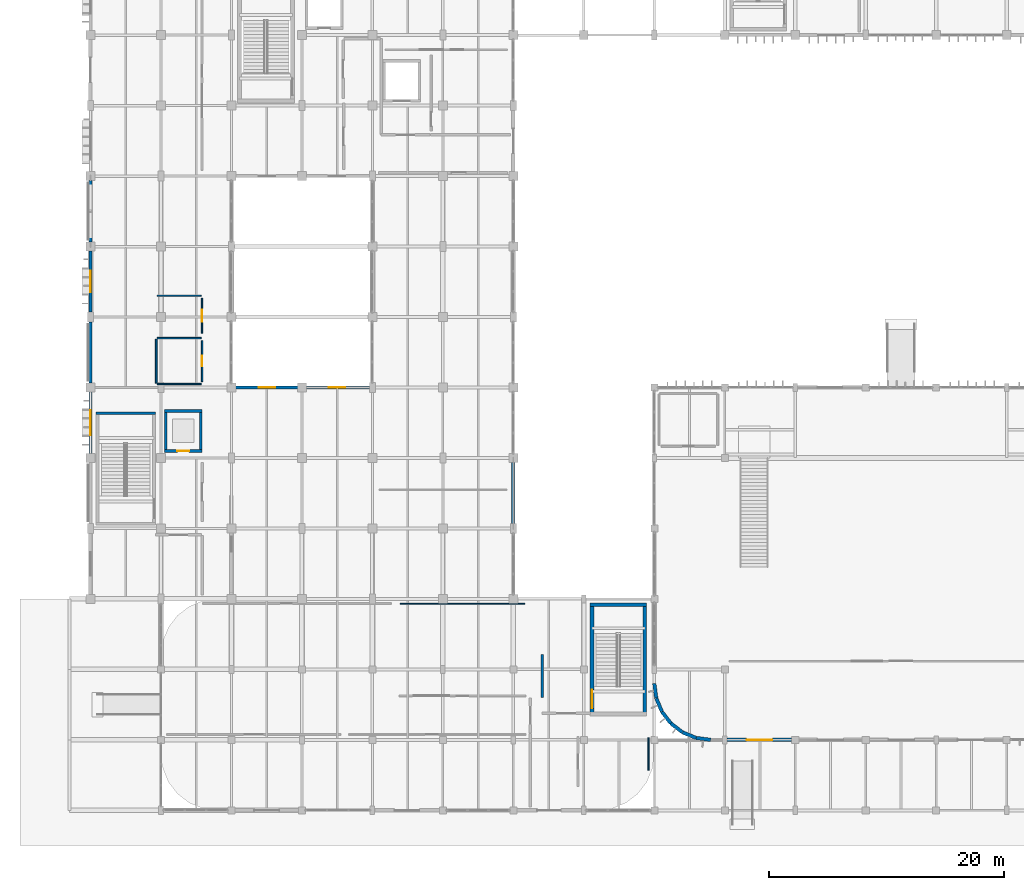
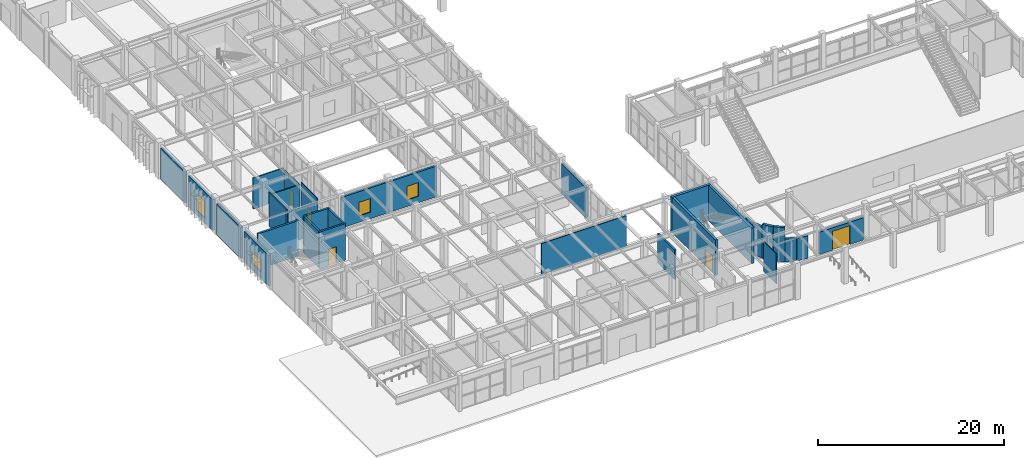
# One storey, part 41 of 76: 31 walls, 5 doors, 4 windows, 9 openings.
"""IFC4 building model written with IfcOpenShell, lengths in metres."""

from ifc_helpers import new_model, si_unit, direction, frame, frame_2d, origin, place, context, subcontext, project, spatial, rectangle, extrude, material, layer, layer_set, type_object, element, fill, save


model = new_model("IFC4")

# Units and contexts
model_context = context("Model", 3, precision=1e-05, world=origin(), true_north=direction((0.0, 1.0)))
body_context = subcontext(model_context, "Body", "Model", "MODEL_VIEW")
ifc_project = project(units=[si_unit("LENGTHUNIT", "METRE"), si_unit("AREAUNIT", "SQUARE_METRE"), si_unit("VOLUMEUNIT", "CUBIC_METRE"), si_unit("PLANEANGLEUNIT", "RADIAN"), si_unit("MASSUNIT", "GRAM", prefix="KILO")], contexts=[model_context])

# Site, building, storey
site_placement = place(None, origin())
site = spatial("IfcSite", under=ifc_project, at=site_placement, CompositionType="ELEMENT")
building_placement = place(site_placement, origin())
building = spatial("IfcBuilding", under=site, at=building_placement, Name="Varnakota Square Police Headquarters", CompositionType="ELEMENT")
storey_placement = place(building_placement, origin())
storey = spatial("IfcBuildingStorey", under=building, at=storey_placement, Name="L00", CompositionType="ELEMENT", Elevation=0.0)

# Wall
ifc_material_1 = material(Name="Concrete M40", Category="concrete")
ifc_layer_1 = layer(ifc_material_1, 0.22998046875, Name="Concrete M40")
ifc_layer_set_1 = layer_set([ifc_layer_1], Name="Concrete M40")
wall_type_1 = type_object("IfcWallType", Name="WL-CORE-230", PredefinedType="SHEAR", material=ifc_layer_set_1)
wall_1_placement = place(storey_placement, frame((11.514892578125, 36.800048828125, 0.0), z_axis=(0.0, 0.0, 1.0), x_axis=(-1.0, 0.0, 0.0)))
element("IfcWall", 1, at=wall_1_placement, inside=storey, type_object=wall_type_1, Name="Core C4 shear wall L00 N", PredefinedType="SHEAR", context=body_context, shape_type="SweptSolid", body=[
    extrude(rectangle(XDim=5.02978515625, YDim=0.22998046875, at=frame_2d((2.514892578125, 0.0))), origin(), (0.0, 0.0, 1.0), 4.659912109375),
])

# Wall, opening, door
wall_2_placement = place(storey_placement, frame((12.284912109375, 33.60009765625, 0.0), z_axis=(0.0, 0.0, 1.0), x_axis=(1.0, 0.0, 0.0)))
wall_2 = element("IfcWall", 2, at=wall_2_placement, inside=storey, type_object=wall_type_1, Name="Lift shaft wall LF-P2 L00 S", PredefinedType="SHEAR", context=body_context, shape_type="SweptSolid", body=[
    extrude(rectangle(XDim=3.22998046875, YDim=0.22998046875, at=frame_2d((1.614990234375, 0.0))), origin(), (0.0, 0.0, 1.0), 4.800048828125),
])
opening_1_placement = place(wall_2_placement, frame((1.114990234375, 0.0, 0.0)))
opening_1 = element("IfcOpeningElement", 3, at=opening_1_placement, cuts=wall_2, Name="Opening LD025", PredefinedType="OPENING", context=body_context, shape_type="SweptSolid", body=[
    extrude(rectangle(XDim=1.0, YDim=2.14990234375, at=frame_2d((0.5, 1.074951171875))), frame((0.0, 0.125, 0.0), z_axis=(0.0, -1.0, 0.0), x_axis=(1.0, 0.0, 0.0)), (0.0, 0.0, 1.0), 0.25),
])
ifc_material_2 = material(Name="Brushed Grade 316 Stainless Steel", Category="steel")
door_type_1 = type_object("IfcDoorType", Name="DR-LD-PAX", OperationType="NOTDEFINED", PredefinedType="DOOR", material=ifc_material_2)
door_1_placement = place(opening_1_placement, origin())
door_1 = element("IfcDoor", 4, at=door_1_placement, inside=storey, type_object=door_type_1, Name="Lift sliding landing door LD025", OperationType="SLIDING_TO_LEFT", OverallHeight=2.14990234375, OverallWidth=1.0, PredefinedType="DOOR", context=body_context, shape_type="SweptSolid", body=[
    extrude(rectangle(XDim=1.0, YDim=2.14990234375, at=frame_2d((0.5, 1.074951171875))), frame((0.0, 0.02490234375, 0.0), z_axis=(0.0, -1.0, 0.0), x_axis=(1.0, 0.0, 0.0)), (0.0, 0.0, 1.0), 0.050048828125),
])
fill(opening_1, door_1)

# Walls
wall_3_placement = place(storey_placement, frame((15.39990234375, 33.485107421875, 0.0), z_axis=(0.0, 0.0, 1.0), x_axis=(0.0, 1.0, 0.0)))
element("IfcWall", 5, at=wall_3_placement, inside=storey, type_object=wall_type_1, Name="Lift shaft wall LF-P2 L00 E", PredefinedType="SHEAR", context=body_context, shape_type="SweptSolid", body=[
    extrude(rectangle(XDim=3.6298828125, YDim=0.22998046875, at=frame_2d((1.81494140625, 0.0))), origin(), (0.0, 0.0, 1.0), 4.800048828125),
])
wall_4_placement = place(storey_placement, frame((15.514892578125, 37.0, 0.0), z_axis=(0.0, 0.0, 1.0), x_axis=(-1.0, 0.0, 0.0)))
element("IfcWall", 6, at=wall_4_placement, inside=storey, type_object=wall_type_1, Name="Lift shaft wall LF-P2 L00 N", PredefinedType="SHEAR", context=body_context, shape_type="SweptSolid", body=[
    extrude(rectangle(XDim=3.22998046875, YDim=0.22998046875, at=frame_2d((1.614990234375, 0.0))), origin(), (0.0, 0.0, 1.0), 4.800048828125),
])
wall_5_placement = place(storey_placement, frame((12.39990234375, 37.114990234375, 0.0), z_axis=(0.0, 0.0, 1.0), x_axis=(0.0, -1.0, 0.0)))
element("IfcWall", 7, at=wall_5_placement, inside=storey, type_object=wall_type_1, Name="Lift shaft wall LF-P2 L00 W", PredefinedType="SHEAR", context=body_context, shape_type="SweptSolid", body=[
    extrude(rectangle(XDim=3.6298828125, YDim=0.22998046875, at=frame_2d((1.81494140625, 0.0))), origin(), (0.0, 0.0, 1.0), 4.800048828125),
])
ifc_material_3 = material(Name="Concrete M50", Category="concrete")
ifc_layer_2 = layer(ifc_material_3, 0.31005859375, Name="Concrete M50")
ifc_layer_set_2 = layer_set([ifc_layer_2], Name="Concrete M50")
wall_type_2 = type_object("IfcWallType", Name="WL-CORE-310", PredefinedType="SHEAR", material=ifc_layer_set_2)
wall_6_placement = place(storey_placement, frame((53.199951171875, 11.044921875, 0.0), z_axis=(0.0, 0.0, 1.0), x_axis=(0.0, 1.0, 0.0)))
element("IfcWall", 8, at=wall_6_placement, inside=storey, type_object=wall_type_2, Name="Core C10 shear wall L00 E", PredefinedType="SHEAR", context=body_context, shape_type="SweptSolid", body=[
    extrude(rectangle(XDim=9.610107421875, YDim=0.31005859375, at=frame_2d((4.80517578125, 0.0))), origin(), (0.0, 0.0, 1.0), 4.659912109375),
])
wall_7_placement = place(storey_placement, frame((53.35498046875, 20.5, 0.0), z_axis=(0.0, 0.0, 1.0), x_axis=(-1.0, 0.0, 0.0)))
element("IfcWall", 9, at=wall_7_placement, inside=storey, type_object=wall_type_2, Name="Core C10 shear wall L00 N", PredefinedType="SHEAR", context=body_context, shape_type="SweptSolid", body=[
    extrude(rectangle(XDim=4.81005859375, YDim=0.31005859375, at=frame_2d((2.405029296875, 0.0))), origin(), (0.0, 0.0, 1.0), 4.659912109375),
])

# Wall, opening, door
wall_8_placement = place(storey_placement, frame((48.699951171875, 20.655029296875, 0.0), z_axis=(0.0, 0.0, 1.0), x_axis=(0.0, -1.0, 0.0)))
wall_8 = element("IfcWall", 10, at=wall_8_placement, inside=storey, type_object=wall_type_2, Name="Core C10 shear wall L00 W", PredefinedType="SHEAR", context=body_context, shape_type="SweptSolid", body=[
    extrude(rectangle(XDim=9.610107421875, YDim=0.31005859375, at=frame_2d((4.80517578125, 0.0))), origin(), (0.0, 0.0, 1.0), 4.659912109375),
])
opening_2_placement = place(wall_8_placement, frame((7.375, 0.0, 0.0)))
opening_2 = element("IfcOpeningElement", 11, at=opening_2_placement, cuts=wall_8, Name="Opening SD131", PredefinedType="OPENING", context=body_context, shape_type="SweptSolid", body=[
    extrude(rectangle(XDim=1.60009765625, YDim=2.199951171875, at=frame_2d((0.800048828125, 1.10009765625))), frame((0.0, 0.1650390625, 0.0), z_axis=(0.0, -1.0, 0.0), x_axis=(1.0, 0.0, 0.0)), (0.0, 0.0, 1.0), 0.330078125),
])
ifc_material_4 = material(Name="Powder-Coated Galvanised Steel", Category="steel")
door_type_2 = type_object("IfcDoorType", Name="DR-ST-160", OperationType="NOTDEFINED", PredefinedType="DOOR", material=ifc_material_4)
door_2_placement = place(opening_2_placement, origin())
door_2 = element("IfcDoor", 12, at=door_2_placement, inside=storey, type_object=door_type_2, Name="Protected stair door SD131", OperationType="DOUBLE_DOOR_SINGLE_SWING", OverallHeight=2.199951171875, OverallWidth=1.60009765625, PredefinedType="DOOR", context=body_context, shape_type="SweptSolid", body=[
    extrude(rectangle(XDim=1.60009765625, YDim=2.199951171875, at=frame_2d((0.800048828125, 1.10009765625))), frame((0.0, 0.02490234375, 0.0), z_axis=(0.0, -1.0, 0.0), x_axis=(1.0, 0.0, 0.0)), (0.0, 0.0, 1.0), 0.050048828125),
])
fill(opening_2, door_2)

# Wall, opening, window
ifc_layer_3 = layer(ifc_material_1, 0.239990234375, Name="Concrete M40")
ifc_layer_set_3 = layer_set([ifc_layer_3], Name="Concrete M40")
wall_type_3 = type_object("IfcWallType", Name="WL-EXT-240", PredefinedType="SOLIDWALL", material=ifc_layer_set_3)
wall_9_placement = place(storey_placement, frame((18.050048828125, 39.0, 0.0), z_axis=(0.0, 0.0, 1.0), x_axis=(1.0, 0.0, 0.0)))
wall_9 = element("IfcWall", 13, at=wall_9_placement, inside=storey, type_object=wall_type_3, Name="Court exterior wall EW-L00-0394", PredefinedType="SOLIDWALL", context=body_context, shape_type="SweptSolid", body=[
    extrude(rectangle(XDim=5.949951171875, YDim=0.239990234375, at=frame_2d((2.97509765625, 0.0))), origin(), (0.0, 0.0, 1.0), 4.0400390625),
])
opening_3_placement = place(wall_9_placement, frame((2.27490234375, 0.0, 0.85009765625)))
opening_3 = element("IfcOpeningElement", 14, at=opening_3_placement, cuts=wall_9, Name="Opening W16", PredefinedType="OPENING", context=body_context, shape_type="SweptSolid", body=[
    extrude(rectangle(XDim=1.39990234375, YDim=1.800048828125, at=frame_2d((0.699951171875, 0.89990234375))), frame((0.0, 0.1298828125, 0.0), z_axis=(0.0, -1.0, 0.0), x_axis=(1.0, 0.0, 0.0)), (0.0, 0.0, 1.0), 0.260009765625),
])
ifc_material_5 = material(Name="Thermally Broken Aluminium Double-Glazed Window", Category="aluminium")
window_type_1 = type_object("IfcWindowType", Name="WIN-16", PartitioningType="SINGLE_PANEL", PredefinedType="WINDOW", material=ifc_material_5)
window_1_placement = place(opening_3_placement, origin())
window_1 = element("IfcWindow", 15, at=window_1_placement, inside=storey, type_object=window_type_1, Name="Window WN-L00-0069", OverallHeight=1.800048828125, OverallWidth=1.39990234375, PartitioningType="SINGLE_PANEL", PredefinedType="WINDOW", context=body_context, shape_type="SweptSolid", body=[
    extrude(rectangle(XDim=1.39990234375, YDim=1.800048828125, at=frame_2d((0.699951171875, 0.89990234375))), frame((0.0, 0.030029296875, 0.0), z_axis=(0.0, -1.0, 0.0), x_axis=(1.0, 0.0, 0.0)), (0.0, 0.0, 1.0), 0.06005859375),
])
fill(opening_3, window_1)

wall_10_placement = place(storey_placement, frame((24.0, 39.0, 0.0), z_axis=(0.0, 0.0, 1.0), x_axis=(1.0, 0.0, 0.0)))
wall_10 = element("IfcWall", 16, at=wall_10_placement, inside=storey, type_object=wall_type_3, Name="Court exterior wall EW-L00-0396", PredefinedType="SOLIDWALL", context=body_context, shape_type="SweptSolid", body=[
    extrude(rectangle(XDim=5.949951171875, YDim=0.239990234375, at=frame_2d((2.97509765625, 0.0))), origin(), (0.0, 0.0, 1.0), 4.0400390625),
])
opening_4_placement = place(wall_10_placement, frame((2.27490234375, 0.0, 0.85009765625)))
opening_4 = element("IfcOpeningElement", 17, at=opening_4_placement, cuts=wall_10, Name="Opening W16", PredefinedType="OPENING", context=body_context, shape_type="SweptSolid", body=[
    extrude(rectangle(XDim=1.39990234375, YDim=1.800048828125, at=frame_2d((0.699951171875, 0.89990234375))), frame((0.0, 0.1298828125, 0.0), z_axis=(0.0, -1.0, 0.0), x_axis=(1.0, 0.0, 0.0)), (0.0, 0.0, 1.0), 0.260009765625),
])
window_2_placement = place(opening_4_placement, origin())
window_2 = element("IfcWindow", 18, at=window_2_placement, inside=storey, type_object=window_type_1, Name="Window WN-L00-0071", OverallHeight=1.800048828125, OverallWidth=1.39990234375, PartitioningType="SINGLE_PANEL", PredefinedType="WINDOW", context=body_context, shape_type="SweptSolid", body=[
    extrude(rectangle(XDim=1.39990234375, YDim=1.800048828125, at=frame_2d((0.699951171875, 0.89990234375))), frame((0.0, 0.030029296875, 0.0), z_axis=(0.0, -1.0, 0.0), x_axis=(1.0, 0.0, 0.0)), (0.0, 0.0, 1.0), 0.06005859375),
])
fill(opening_4, window_2)

# Wall
ifc_layer_4 = layer(ifc_material_1, 0.280029296875, Name="Concrete M40")
ifc_layer_set_4 = layer_set([ifc_layer_4], Name="Concrete M40")
wall_type_4 = type_object("IfcWallType", Name="WL-EXT-280", PredefinedType="SOLIDWALL", material=ifc_layer_set_4)
wall_11_placement = place(storey_placement, frame((42.0, 27.428955078125, 0.0), z_axis=(0.0, 0.0, 1.0), x_axis=(0.0, 1.0, 0.0)))
element("IfcWall", 19, at=wall_11_placement, inside=storey, type_object=wall_type_4, Name="Exterior wall EW-L00-0385", PredefinedType="SOLIDWALL", context=body_context, shape_type="SweptSolid", body=[
    extrude(rectangle(XDim=5.192138671875, YDim=0.280029296875, at=frame_2d((2.59619140625, 0.0))), origin(), (0.0, 0.0, 1.0), 3.989990234375),
])

# Wall, opening, window
wall_12_placement = place(storey_placement, frame((6.0, 33.37890625, 0.0), z_axis=(0.0, 0.0, 1.0), x_axis=(0.0, 1.0, 0.0)))
wall_12 = element("IfcWall", 20, at=wall_12_placement, inside=storey, type_object=wall_type_4, Name="Exterior wall EW-L00-0386", PredefinedType="SOLIDWALL", context=body_context, shape_type="SweptSolid", body=[
    extrude(rectangle(XDim=5.2421875, YDim=0.280029296875, at=frame_2d((2.62109375, 0.0))), origin(), (0.0, 0.0, 1.0), 4.0400390625),
])
opening_5_placement = place(wall_12_placement, frame((1.571044921875, 0.0, 0.89990234375)))
opening_5 = element("IfcOpeningElement", 21, at=opening_5_placement, cuts=wall_12, Name="Opening W08", PredefinedType="OPENING", context=body_context, shape_type="SweptSolid", body=[
    extrude(rectangle(XDim=2.10009765625, YDim=1.5, at=frame_2d((1.050048828125, 0.75))), frame((0.0, 0.14990234375, 0.0), z_axis=(0.0, -1.0, 0.0), x_axis=(1.0, 0.0, 0.0)), (0.0, 0.0, 1.0), 0.300048828125),
])
window_type_2 = type_object("IfcWindowType", Name="WIN-08", PartitioningType="SINGLE_PANEL", PredefinedType="WINDOW", material=ifc_material_5)
window_3_placement = place(opening_5_placement, origin())
window_3 = element("IfcWindow", 22, at=window_3_placement, inside=storey, type_object=window_type_2, Name="Window WN-L00-0065", OverallHeight=1.5, OverallWidth=2.10009765625, PartitioningType="SINGLE_PANEL", PredefinedType="WINDOW", context=body_context, shape_type="SweptSolid", body=[
    extrude(rectangle(XDim=2.10009765625, YDim=1.5, at=frame_2d((1.050048828125, 0.75))), frame((0.0, 0.030029296875, 0.0), z_axis=(0.0, -1.0, 0.0), x_axis=(1.0, 0.0, 0.0)), (0.0, 0.0, 1.0), 0.06005859375),
])
fill(opening_5, window_3)

# Wall
wall_13_placement = place(storey_placement, frame((6.0, 39.37890625, 0.0), z_axis=(0.0, 0.0, 1.0), x_axis=(0.0, 1.0, 0.0)))
element("IfcWall", 23, at=wall_13_placement, inside=storey, type_object=wall_type_4, Name="Exterior wall EW-L00-0387", PredefinedType="SOLIDWALL", context=body_context, shape_type="SweptSolid", body=[
    extrude(rectangle(XDim=5.192138671875, YDim=0.280029296875, at=frame_2d((2.59619140625, 0.0))), origin(), (0.0, 0.0, 1.0), 4.090087890625),
])

# Wall, opening, window
wall_14_placement = place(storey_placement, frame((6.0, 45.428955078125, 0.0), z_axis=(0.0, 0.0, 1.0), x_axis=(0.0, 1.0, 0.0)))
wall_14 = element("IfcWall", 24, at=wall_14_placement, inside=storey, type_object=wall_type_4, Name="Exterior wall EW-L00-0388", PredefinedType="SOLIDWALL", context=body_context, shape_type="SweptSolid", body=[
    extrude(rectangle(XDim=5.192138671875, YDim=0.280029296875, at=frame_2d((2.59619140625, 0.0))), origin(), (0.0, 0.0, 1.0), 4.08349609375),
])
opening_6_placement = place(wall_14_placement, frame((1.696044921875, 0.0, 0.60009765625)))
opening_6 = element("IfcOpeningElement", 25, at=opening_6_placement, cuts=wall_14, Name="Opening W11", PredefinedType="OPENING", context=body_context, shape_type="SweptSolid", body=[
    extrude(rectangle(XDim=1.800048828125, YDim=2.199951171875, at=frame_2d((0.89990234375, 1.10009765625))), frame((0.0, 0.14990234375, 0.0), z_axis=(0.0, -1.0, 0.0), x_axis=(1.0, 0.0, 0.0)), (0.0, 0.0, 1.0), 0.300048828125),
])
window_type_3 = type_object("IfcWindowType", Name="WIN-11", PartitioningType="SINGLE_PANEL", PredefinedType="WINDOW", material=ifc_material_5)
window_4_placement = place(opening_6_placement, origin())
window_4 = element("IfcWindow", 26, at=window_4_placement, inside=storey, type_object=window_type_3, Name="Window WN-L00-0066", OverallHeight=2.199951171875, OverallWidth=1.800048828125, PartitioningType="SINGLE_PANEL", PredefinedType="WINDOW", context=body_context, shape_type="SweptSolid", body=[
    extrude(rectangle(XDim=1.800048828125, YDim=2.199951171875, at=frame_2d((0.89990234375, 1.10009765625))), frame((0.0, 0.030029296875, 0.0), z_axis=(0.0, -1.0, 0.0), x_axis=(1.0, 0.0, 0.0)), (0.0, 0.0, 1.0), 0.06005859375),
])
fill(opening_6, window_4)

# Wall
wall_15_placement = place(storey_placement, frame((6.0, 51.37890625, 0.0), z_axis=(0.0, 0.0, 1.0), x_axis=(0.0, 1.0, 0.0)))
element("IfcWall", 27, at=wall_15_placement, inside=storey, type_object=wall_type_4, Name="Exterior wall EW-L00-0389", PredefinedType="SOLIDWALL", context=body_context, shape_type="SweptSolid", body=[
    extrude(rectangle(XDim=5.2421875, YDim=0.280029296875, at=frame_2d((2.62109375, 0.0))), origin(), (0.0, 0.0, 1.0), 4.08349609375),
])

# Wall, opening, door
ifc_material_6 = material(Name="Precast concrete M40", Category="concrete")
ifc_layer_5 = layer(ifc_material_6, 0.300048828125, Name="Precast concrete M40")
ifc_layer_set_5 = layer_set([ifc_layer_5], Name="Precast concrete M40")
wall_type_5 = type_object("IfcWallType", Name="WL-EXT-300", PredefinedType="SOLIDWALL", material=ifc_layer_set_5)
wall_16_placement = place(storey_placement, frame((60.2041015625, 9.0, 0.0), z_axis=(0.0, 0.0, 1.0), x_axis=(1.0, 0.0, 0.0)))
wall_16 = element("IfcWall", 28, at=wall_16_placement, inside=storey, type_object=wall_type_5, Name="Exterior wall EW-L00-0056", PredefinedType="SOLIDWALL", context=body_context, shape_type="SweptSolid", body=[
    extrude(rectangle(XDim=5.491943359375, YDim=0.300048828125, at=frame_2d((2.74609375, 0.0))), origin(), (0.0, 0.0, 1.0), 2.93994140625),
])
opening_7_placement = place(wall_16_placement, frame((1.64599609375, 0.0, 0.0)))
opening_7 = element("IfcOpeningElement", 29, at=opening_7_placement, cuts=wall_16, Name="Opening ED01", PredefinedType="OPENING", context=body_context, shape_type="SweptSolid", body=[
    extrude(rectangle(XDim=2.199951171875, YDim=2.5, at=frame_2d((1.10009765625, 1.25))), frame((0.0, 0.159912109375, 0.0), z_axis=(0.0, -1.0, 0.0), x_axis=(1.0, 0.0, 0.0)), (0.0, 0.0, 1.0), 0.320068359375),
])
ifc_material_7 = material(Name="Anodised Aluminium Civic Entrance Door", Category="aluminium")
door_type_3 = type_object("IfcDoorType", Name="DR-EXT-ED220", OperationType="NOTDEFINED", PredefinedType="DOOR", material=ifc_material_7)
door_3_placement = place(opening_7_placement, frame((2.199951171875, 0.0, 0.0), z_axis=(0.0, 0.0, 1.0), x_axis=(-1.0, 0.0, 0.0)))
door_3 = element("IfcDoor", 30, at=door_3_placement, inside=storey, type_object=door_type_3, Name="Exterior door ED01", OperationType="DOUBLE_DOOR_SINGLE_SWING", OverallHeight=2.5, OverallWidth=2.199951171875, PredefinedType="DOOR", context=body_context, shape_type="SweptSolid", body=[
    extrude(rectangle(XDim=2.199951171875, YDim=2.5, at=frame_2d((1.10009765625, 1.25))), frame((0.0, 0.02490234375, 0.0), z_axis=(0.0, -1.0, 0.0), x_axis=(1.0, 0.0, 0.0)), (0.0, 0.0, 1.0), 0.050048828125),
])
fill(opening_7, door_3)

# Walls
for number, where, z_axis, x_axis, name in (
    (31, (54.0, 13.800048828125, 0.0), (0.0, 0.0, 1.0), (0.130530106475, -0.991444346045, 0.0), "Exterior wall EW-L00-0061"),
    (32, (54.16357421875, 12.5576171875, 0.0), (0.0, 0.0, 1.0), (0.382650053678, -0.92389335771, 0.0), "Exterior wall EW-L00-0062"),
):
    element("IfcWall", number, at=place(storey_placement, frame(where, z_axis=z_axis, x_axis=x_axis)), inside=storey, type_object=wall_type_5, Name=name, PredefinedType="SOLIDWALL", context=body_context, shape_type="SweptSolid", body=[
        extrude(rectangle(XDim=1.253173828125, YDim=0.300048828125, at=frame_2d((0.62646484375, 0.0))), origin(), (0.0, 0.0, 1.0), 4.090087890625),
    ])
for number, where, z_axis, x_axis, name in (
    (33, (54.64306640625, 11.39990234375, 0.0), (0.0, 0.0, 1.0), (0.60891003886, -0.793239285824, 0.0), "Exterior wall EW-L00-0063"),
    (34, (55.406005859375, 10.406005859375, 0.0), (0.0, 0.0, 1.0), (0.793239285824, -0.60891003886, 0.0), "Exterior wall EW-L00-0064"),
):
    element("IfcWall", number, at=place(storey_placement, frame(where, z_axis=z_axis, x_axis=x_axis)), inside=storey, type_object=wall_type_5, Name=name, PredefinedType="SOLIDWALL", context=body_context, shape_type="SweptSolid", body=[
        extrude(rectangle(XDim=1.2529296875, YDim=0.300048828125, at=frame_2d((0.62646484375, 0.0))), origin(), (0.0, 0.0, 1.0), 4.4951171875),
    ])
for number, where, z_axis, x_axis, name in (
    (35, (56.39990234375, 9.64306640625, 0.0), (0.0, 0.0, 1.0), (0.92389335771, -0.382650053678, 0.0), "Exterior wall EW-L00-0065"),
    (36, (57.5576171875, 9.16357421875, 0.0), (0.0, 0.0, 1.0), (0.991444346045, -0.130530106475, 0.0), "Exterior wall EW-L00-0066"),
):
    element("IfcWall", number, at=place(storey_placement, frame(where, z_axis=z_axis, x_axis=x_axis)), inside=storey, type_object=wall_type_5, Name=name, PredefinedType="SOLIDWALL", context=body_context, shape_type="SweptSolid", body=[
        extrude(rectangle(XDim=1.253173828125, YDim=0.300048828125, at=frame_2d((0.62646484375, 0.0))), origin(), (0.0, 0.0, 1.0), 2.989990234375),
    ])
ifc_material_8 = material(Name="Lightweight Demountable Office Partition", Category="gypsum")
ifc_layer_6 = layer(ifc_material_8, 0.094970703125, Name="Lightweight Demountable Office Partition")
ifc_layer_set_6 = layer_set([ifc_layer_6], Name="Lightweight Demountable Office Partition")
wall_type_6 = type_object("IfcWallType", Name="WL-PRT-095", PredefinedType="PARTITIONING", material=ifc_layer_set_6)
wall_17_placement = place(storey_placement, frame((15.419921875, 39.300048828125, 0.0), z_axis=(0.0, 0.0, 1.0), x_axis=(-1.0, 0.0, 0.0)))
element("IfcWall", 37, at=wall_17_placement, inside=storey, type_object=wall_type_6, Name="Interior dividing partition PW-L00-0061 (L00 Forensic Staff Washroom WC)", PredefinedType="PARTITIONING", context=body_context, shape_type="SweptSolid", body=[
    extrude(rectangle(XDim=3.739990234375, YDim=0.094970703125, at=frame_2d((1.8701171875, 0.0))), origin(), (0.0, 0.0, 1.0), 4.090087890625),
])

# Wall, opening, door
ifc_material_9 = material(Name="Glazed Clean-Lab Modular Partition", Category="gypsum")
ifc_layer_7 = layer(ifc_material_9, 0.10498046875, Name="Glazed Clean-Lab Modular Partition")
ifc_layer_set_7 = layer_set([ifc_layer_7], Name="Glazed Clean-Lab Modular Partition")
wall_type_7 = type_object("IfcWallType", Name="WL-PRT-105", PredefinedType="PARTITIONING", material=ifc_layer_set_7)
wall_18_placement = place(storey_placement, frame((15.5, 46.60009765625, 0.0), z_axis=(0.0, 0.0, 1.0), x_axis=(0.0, -1.0, 0.0)))
wall_18 = element("IfcWall", 38, at=wall_18_placement, inside=storey, type_object=wall_type_7, Name="Interior partition PW-L00-0024 (L00 Accessible WC West)", PredefinedType="PARTITIONING", context=body_context, shape_type="SweptSolid", body=[
    extrude(rectangle(XDim=3.0, YDim=0.10498046875, at=frame_2d((1.5, 0.0))), origin(), (0.0, 0.0, 1.0), 3.93994140625),
])
opening_8_placement = place(wall_18_placement, frame((1.0, 0.0, 0.0)))
opening_8 = element("IfcOpeningElement", 39, at=opening_8_placement, cuts=wall_18, Name="Opening D156", PredefinedType="OPENING", context=body_context, shape_type="SweptSolid", body=[
    extrude(rectangle(XDim=1.0, YDim=2.10009765625, at=frame_2d((0.5, 1.050048828125))), frame((0.0, 0.0625, 0.0), z_axis=(0.0, -1.0, 0.0), x_axis=(1.0, 0.0, 0.0)), (0.0, 0.0, 1.0), 0.125),
])
ifc_material_10 = material(Name="Antimicrobial High-Pressure Compact Laminate")
door_type_4 = type_object("IfcDoorType", Name="DR-WCA-100", OperationType="NOTDEFINED", PredefinedType="DOOR", material=ifc_material_10)
door_4_placement = place(opening_8_placement, origin())
door_4 = element("IfcDoor", 40, at=door_4_placement, inside=storey, type_object=door_type_4, Name="Room door D156 (L00 Accessible WC West)", OperationType="SINGLE_SWING_RIGHT", OverallHeight=2.10009765625, OverallWidth=1.0, PredefinedType="DOOR", context=body_context, shape_type="SweptSolid", body=[
    extrude(rectangle(XDim=1.0, YDim=2.10009765625, at=frame_2d((0.5, 1.050048828125))), frame((0.0, 0.02490234375, 0.0), z_axis=(0.0, -1.0, 0.0), x_axis=(1.0, 0.0, 0.0)), (0.0, 0.0, 1.0), 0.050048828125),
])
fill(opening_8, door_4)

# Walls
wall_19_placement = place(storey_placement, frame((11.679931640625, 46.800048828125, 0.0), z_axis=(0.0, 0.0, 1.0), x_axis=(1.0, 0.0, 0.0)))
element("IfcWall", 41, at=wall_19_placement, inside=storey, type_object=wall_type_7, Name="Interior dividing partition PW-L00-0064 (L00 Accessible WC West)", PredefinedType="PARTITIONING", context=body_context, shape_type="SweptSolid", body=[
    extrude(rectangle(XDim=3.739990234375, YDim=0.10498046875, at=frame_2d((1.8701171875, 0.0))), origin(), (0.0, 0.0, 1.0), 4.08349609375),
])
wall_20_placement = place(storey_placement, frame((53.5, 9.169921875, 0.0), z_axis=(0.0, 0.0, 1.0), x_axis=(0.0, -1.0, 0.0)))
element("IfcWall", 42, at=wall_20_placement, inside=storey, type_object=wall_type_7, Name="Interior dividing partition PW-L00-0074 (Fire Command Centre)", PredefinedType="PARTITIONING", context=body_context, shape_type="SweptSolid", body=[
    extrude(rectangle(XDim=2.75244140625, YDim=0.10498046875, at=frame_2d((1.376220703125, 0.0))), origin(), (0.0, 0.0, 1.0), 3.93994140625),
])
wall_21_placement = place(storey_placement, frame((32.3798828125, 20.60009765625, 0.0), z_axis=(0.0, 0.0, 1.0), x_axis=(1.0, 0.0, 0.0)))
element("IfcWall", 43, at=wall_21_placement, inside=storey, type_object=wall_type_7, Name="Interior dividing partition PW-L00-0075 (Public Outreach Reception Office)", PredefinedType="PARTITIONING", context=body_context, shape_type="SweptSolid", body=[
    extrude(rectangle(XDim=10.590087890625, YDim=0.10498046875, at=frame_2d((5.294921875, 0.0))), origin(), (0.0, 0.0, 1.0), 4.08349609375),
])

# Wall, opening, door
ifc_material_11 = material(Name="Acoustic Insulated Metal-Stud Partition", Category="gypsum")
ifc_layer_8 = layer(ifc_material_11, 0.125, Name="Acoustic Insulated Metal-Stud Partition")
ifc_layer_set_8 = layer_set([ifc_layer_8], Name="Acoustic Insulated Metal-Stud Partition")
wall_type_8 = type_object("IfcWallType", Name="WL-PRT-125", PredefinedType="PARTITIONING", material=ifc_layer_set_8)
wall_22_placement = place(storey_placement, frame((15.5, 43.0, 0.0), z_axis=(0.0, 0.0, 1.0), x_axis=(0.0, -1.0, 0.0)))
wall_22 = element("IfcWall", 44, at=wall_22_placement, inside=storey, type_object=wall_type_8, Name="Interior partition PW-L00-0023 (L00 Forensic Staff Washroom WC)", PredefinedType="PARTITIONING", context=body_context, shape_type="SweptSolid", body=[
    extrude(rectangle(XDim=3.5, YDim=0.125, at=frame_2d((1.75, 0.0))), origin(), (0.0, 0.0, 1.0), 4.489990234375),
])
opening_9_placement = place(wall_22_placement, frame((1.300048828125, 0.0, 0.0)))
opening_9 = element("IfcOpeningElement", 45, at=opening_9_placement, cuts=wall_22, Name="Opening D155", PredefinedType="OPENING", context=body_context, shape_type="SweptSolid", body=[
    extrude(rectangle(XDim=0.89990234375, YDim=2.10009765625, at=frame_2d((0.449951171875, 1.050048828125))), frame((0.0, 0.072509765625, 0.0), z_axis=(0.0, -1.0, 0.0), x_axis=(1.0, 0.0, 0.0)), (0.0, 0.0, 1.0), 0.14501953125),
])
ifc_material_12 = material(Name="High-Pressure Moisture-Resistant Compact Laminate")
door_type_5 = type_object("IfcDoorType", Name="DR-WC-090", OperationType="NOTDEFINED", PredefinedType="DOOR", material=ifc_material_12)
door_5_placement = place(opening_9_placement, origin())
door_5 = element("IfcDoor", 46, at=door_5_placement, inside=storey, type_object=door_type_5, Name="Room door D155 (L00 Forensic Staff Washroom WC)", OperationType="SINGLE_SWING_LEFT", OverallHeight=2.10009765625, OverallWidth=0.89990234375, PredefinedType="DOOR", context=body_context, shape_type="SweptSolid", body=[
    extrude(rectangle(XDim=0.89990234375, YDim=2.10009765625, at=frame_2d((0.449951171875, 1.050048828125))), frame((0.0, 0.02490234375, 0.0), z_axis=(0.0, -1.0, 0.0), x_axis=(1.0, 0.0, 0.0)), (0.0, 0.0, 1.0), 0.050048828125),
])
fill(opening_9, door_5)

# Walls
wall_23_placement = place(storey_placement, frame((11.679931640625, 43.199951171875, 0.0), z_axis=(0.0, 0.0, 1.0), x_axis=(1.0, 0.0, 0.0)))
element("IfcWall", 47, at=wall_23_placement, inside=storey, type_object=wall_type_8, Name="Interior dividing partition PW-L00-0063 (L00 Forensic Staff Washroom WC)", PredefinedType="PARTITIONING", context=body_context, shape_type="SweptSolid", body=[
    extrude(rectangle(XDim=3.739990234375, YDim=0.125, at=frame_2d((1.8701171875, 0.0))), origin(), (0.0, 0.0, 1.0), 4.090087890625),
])
ifc_layer_9 = layer(ifc_material_11, 0.139892578125, Name="Acoustic Insulated Metal-Stud Partition")
ifc_layer_set_9 = layer_set([ifc_layer_9], Name="Acoustic Insulated Metal-Stud Partition")
wall_type_9 = type_object("IfcWallType", Name="WL-PRT-140", PredefinedType="PARTITIONING", material=ifc_layer_set_9)
wall_24_placement = place(storey_placement, frame((11.60009765625, 39.3798828125, 0.0), z_axis=(0.0, 0.0, 1.0), x_axis=(0.0, 1.0, 0.0)))
element("IfcWall", 48, at=wall_24_placement, inside=storey, type_object=wall_type_9, Name="Interior dividing partition PW-L00-0062 (L00 Forensic Staff Washroom WC)", PredefinedType="PARTITIONING", context=body_context, shape_type="SweptSolid", body=[
    extrude(rectangle(XDim=3.740234375, YDim=0.139892578125, at=frame_2d((1.8701171875, 0.0))), origin(), (0.0, 0.0, 1.0), 4.489990234375),
])
ifc_layer_10 = layer(ifc_material_1, 0.215087890625, Name="Concrete M40")
ifc_layer_set_10 = layer_set([ifc_layer_10], Name="Concrete M40")
wall_type_10 = type_object("IfcWallType", Name="WL-PRT-215F", PredefinedType="PARTITIONING", material=ifc_layer_set_10)
wall_25_placement = place(storey_placement, frame((44.449951171875, 12.60009765625, 0.0), z_axis=(0.0, 0.0, 1.0), x_axis=(0.0, 1.0, 0.0)))
element("IfcWall", 49, at=wall_25_placement, inside=storey, type_object=wall_type_10, Name="Protected exit passageway fire wall EXW-C10-LW", PredefinedType="PARTITIONING", context=body_context, shape_type="SweptSolid", body=[
    extrude(rectangle(XDim=3.64990234375, YDim=0.215087890625, at=frame_2d((1.824951171875, 0.0))), origin(), (0.0, 0.0, 1.0), 3.889892578125),
])

save(model, "model.ifc")
